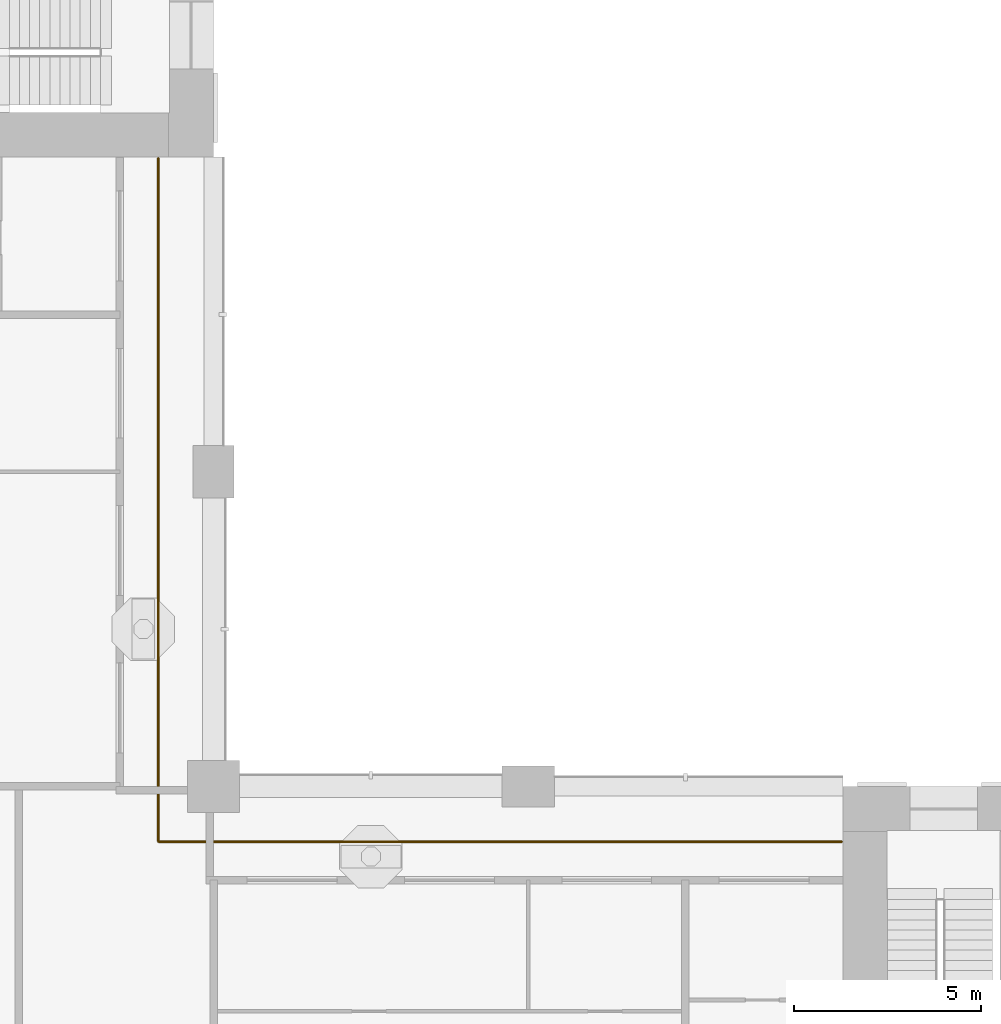
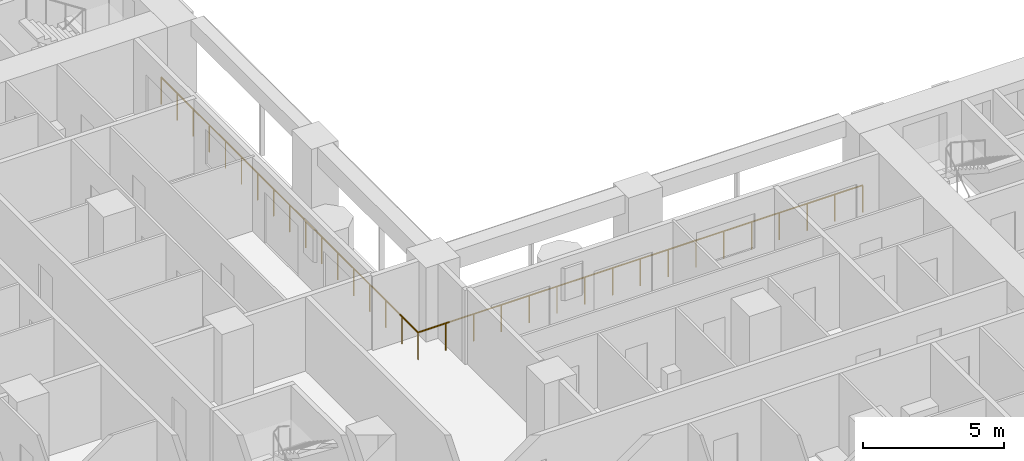
# One storey, part 17 of 22: 1 railing.
"""IFC4 building model written with IfcOpenShell, lengths in metres."""

from ifc_helpers import new_model, si_unit, direction, frame, origin, origin_2d, place, context, subcontext, project, spatial, circle, extrude, material, type_object, element, save


model = new_model("IFC4")

# Units and contexts
model_context = context("Model", 3, precision=1e-05, world=origin(), true_north=direction((0.0, 1.0)))
body_context = subcontext(model_context, "Body", "Model", "MODEL_VIEW")
ifc_project = project(units=[si_unit("LENGTHUNIT", "METRE"), si_unit("AREAUNIT", "SQUARE_METRE"), si_unit("VOLUMEUNIT", "CUBIC_METRE"), si_unit("PLANEANGLEUNIT", "RADIAN"), si_unit("MASSUNIT", "GRAM", prefix="KILO")], contexts=[model_context])

# Site, building, storey
site_placement = place(None, origin())
site = spatial("IfcSite", under=ifc_project, at=site_placement, CompositionType="ELEMENT")
building_placement = place(site_placement, origin())
building = spatial("IfcBuilding", under=site, at=building_placement, Name="Vermilion Gate Residences", CompositionType="ELEMENT")
storey_placement = place(building_placement, frame((0.0, 0.0, 56.699951171875)))
storey = spatial("IfcBuildingStorey", under=building, at=storey_placement, Name="L13", CompositionType="ELEMENT", Elevation=56.699951171875)

# Railing
ifc_material = material(Name="Stainless steel and toughened glass", Category="steel")
railing_type = type_object("IfcRailingType", Name="LOGGIA GUARD STEEL AND GLASS 1200", PredefinedType="GUARDRAIL", material=ifc_material)
railing_placement = place(storey_placement, frame((41.97802734375, 23.72509765625, 0.0)))
element("IfcRailing", 1, at=railing_placement, inside=storey, type_object=railing_type, Name="Loggia guard", PredefinedType="GUARDRAIL", context=body_context, shape_type="SweptSolid", body=[
    extrude(circle(Radius=0.030029296875, at=origin_2d()), frame((0.0, 0.0, 1.169921875), z_axis=(-1.0, 0.0, 0.0), x_axis=(0.0, -1.0, 0.0)), (0.0, 0.0, 1.0), 18.2529296875),
    extrude(circle(Radius=0.030029296875, at=origin_2d()), frame((-18.2529296875, 0.0, 1.169921875), z_axis=(0.0, 1.0, 0.0), x_axis=(-1.0, 0.0, 0.0)), (0.0, 0.0, 1.0), 18.2529296875),
    extrude(circle(Radius=0.02490234375, at=origin_2d()), origin(), (0.0, 0.0, 1.0), 1.139892578125),
    extrude(circle(Radius=0.02490234375, at=origin_2d()), frame((-1.140869140625, 0.0, 0.0)), (0.0, 0.0, 1.0), 1.139892578125),
    extrude(circle(Radius=0.02490234375, at=origin_2d()), frame((-2.28173828125, 0.0, 0.0)), (0.0, 0.0, 1.0), 1.139892578125),
    extrude(circle(Radius=0.02490234375, at=origin_2d()), frame((-3.42236328125, 0.0, 0.0)), (0.0, 0.0, 1.0), 1.139892578125),
    extrude(circle(Radius=0.02490234375, at=origin_2d()), frame((-4.563232421875, 0.0, 0.0)), (0.0, 0.0, 1.0), 1.139892578125),
    extrude(circle(Radius=0.02490234375, at=origin_2d()), frame((-5.7041015625, 0.0, 0.0)), (0.0, 0.0, 1.0), 1.139892578125),
    extrude(circle(Radius=0.02490234375, at=origin_2d()), frame((-6.8447265625, 0.0, 0.0)), (0.0, 0.0, 1.0), 1.139892578125),
    extrude(circle(Radius=0.02490234375, at=origin_2d()), frame((-7.985595703125, 0.0, 0.0)), (0.0, 0.0, 1.0), 1.139892578125),
    extrude(circle(Radius=0.02490234375, at=origin_2d()), frame((-9.12646484375, 0.0, 0.0)), (0.0, 0.0, 1.0), 1.139892578125),
    extrude(circle(Radius=0.02490234375, at=origin_2d()), frame((-10.267333984375, 0.0, 0.0)), (0.0, 0.0, 1.0), 1.139892578125),
    extrude(circle(Radius=0.02490234375, at=origin_2d()), frame((-11.408203125, 0.0, 0.0)), (0.0, 0.0, 1.0), 1.139892578125),
    extrude(circle(Radius=0.02490234375, at=origin_2d()), frame((-12.548828125, 0.0, 0.0)), (0.0, 0.0, 1.0), 1.139892578125),
    extrude(circle(Radius=0.02490234375, at=origin_2d()), frame((-13.689697265625, 0.0, 0.0)), (0.0, 0.0, 1.0), 1.139892578125),
    extrude(circle(Radius=0.02490234375, at=origin_2d()), frame((-14.83056640625, 0.0, 0.0)), (0.0, 0.0, 1.0), 1.139892578125),
    extrude(circle(Radius=0.02490234375, at=origin_2d()), frame((-15.97119140625, 0.0, 0.0)), (0.0, 0.0, 1.0), 1.139892578125),
    extrude(circle(Radius=0.02490234375, at=origin_2d()), frame((-17.112060546875, 0.0, 0.0)), (0.0, 0.0, 1.0), 1.139892578125),
    extrude(circle(Radius=0.02490234375, at=origin_2d()), frame((-18.2529296875, 0.0, 0.0)), (0.0, 0.0, 1.0), 1.139892578125),
    extrude(circle(Radius=0.02490234375, at=origin_2d()), frame((-18.2529296875, 1.140869140625, 0.0)), (0.0, 0.0, 1.0), 1.139892578125),
    extrude(circle(Radius=0.02490234375, at=origin_2d()), frame((-18.2529296875, 2.28173828125, 0.0)), (0.0, 0.0, 1.0), 1.139892578125),
    extrude(circle(Radius=0.02490234375, at=origin_2d()), frame((-18.2529296875, 3.42236328125, 0.0)), (0.0, 0.0, 1.0), 1.139892578125),
    extrude(circle(Radius=0.02490234375, at=origin_2d()), frame((-18.2529296875, 4.563232421875, 0.0)), (0.0, 0.0, 1.0), 1.139892578125),
    extrude(circle(Radius=0.02490234375, at=origin_2d()), frame((-18.2529296875, 5.7041015625, 0.0)), (0.0, 0.0, 1.0), 1.139892578125),
    extrude(circle(Radius=0.02490234375, at=origin_2d()), frame((-18.2529296875, 6.8447265625, 0.0)), (0.0, 0.0, 1.0), 1.139892578125),
    extrude(circle(Radius=0.02490234375, at=origin_2d()), frame((-18.2529296875, 7.985595703125, 0.0)), (0.0, 0.0, 1.0), 1.139892578125),
    extrude(circle(Radius=0.02490234375, at=origin_2d()), frame((-18.2529296875, 9.12646484375, 0.0)), (0.0, 0.0, 1.0), 1.139892578125),
    extrude(circle(Radius=0.02490234375, at=origin_2d()), frame((-18.2529296875, 10.267333984375, 0.0)), (0.0, 0.0, 1.0), 1.139892578125),
    extrude(circle(Radius=0.02490234375, at=origin_2d()), frame((-18.2529296875, 11.408203125, 0.0)), (0.0, 0.0, 1.0), 1.139892578125),
    extrude(circle(Radius=0.02490234375, at=origin_2d()), frame((-18.2529296875, 12.548828125, 0.0)), (0.0, 0.0, 1.0), 1.139892578125),
    extrude(circle(Radius=0.02490234375, at=origin_2d()), frame((-18.2529296875, 13.689697265625, 0.0)), (0.0, 0.0, 1.0), 1.139892578125),
    extrude(circle(Radius=0.02490234375, at=origin_2d()), frame((-18.2529296875, 14.83056640625, 0.0)), (0.0, 0.0, 1.0), 1.139892578125),
    extrude(circle(Radius=0.02490234375, at=origin_2d()), frame((-18.2529296875, 15.97119140625, 0.0)), (0.0, 0.0, 1.0), 1.139892578125),
    extrude(circle(Radius=0.02490234375, at=origin_2d()), frame((-18.2529296875, 17.112060546875, 0.0)), (0.0, 0.0, 1.0), 1.139892578125),
    extrude(circle(Radius=0.02490234375, at=origin_2d()), frame((-18.2529296875, 18.2529296875, 0.0)), (0.0, 0.0, 1.0), 1.139892578125),
])

save(model, "model.ifc")
